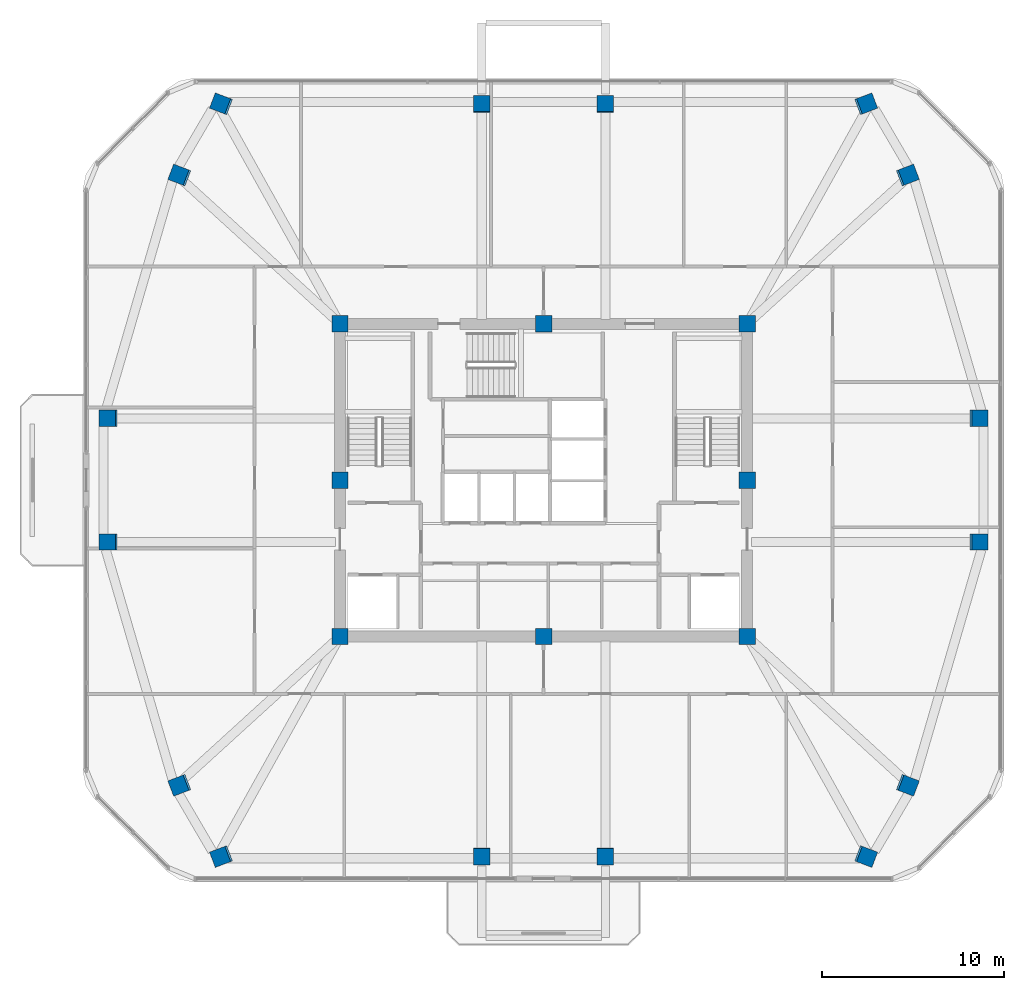
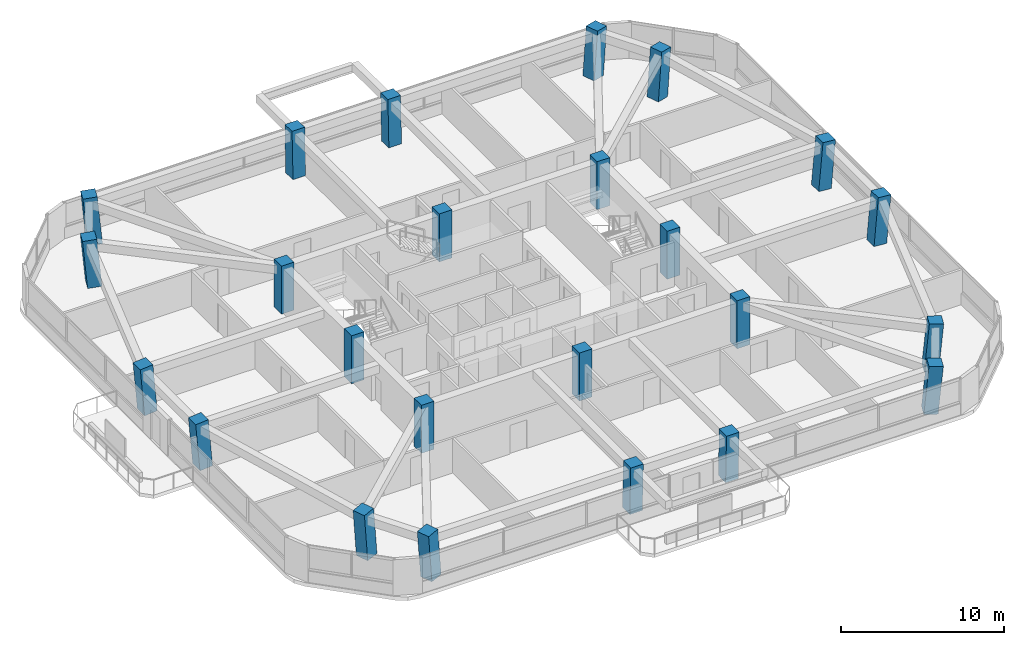
# One storey, part 1 of 13: 24 columns.
"""IFC4 building model written with IfcOpenShell, lengths in metres."""

from ifc_helpers import new_model, si_unit, derived_unit, direction, frame, origin, origin_2d, place, context, subcontext, project, spatial, rectangle, extrude, material, material_profile, profile_set, type_object, element, save


model = new_model("IFC4")

# Units and contexts
model_context = context("Model", 3, precision=1e-05, world=origin(), true_north=direction((0.0, 1.0)))
body_context = subcontext(model_context, "Body", "Model", "MODEL_VIEW")
ifc_project = project(units=[si_unit("LENGTHUNIT", "METRE"), si_unit("AREAUNIT", "SQUARE_METRE"), si_unit("VOLUMEUNIT", "CUBIC_METRE"), si_unit("PLANEANGLEUNIT", "RADIAN"), si_unit("MASSUNIT", "GRAM", prefix="KILO"), derived_unit("THERMALTRANSMITTANCEUNIT", [(si_unit("POWERUNIT", "WATT"), 1), (si_unit("LENGTHUNIT", "METRE"), -2), (si_unit("THERMODYNAMICTEMPERATUREUNIT", "KELVIN"), -1)])], contexts=[model_context])

# Site, building, storey
site_placement = place(None, origin())
site = spatial("IfcSite", under=ifc_project, at=site_placement, CompositionType="ELEMENT")
building_placement = place(site_placement, origin())
building = spatial("IfcBuilding", under=site, at=building_placement, Name="Koralith Skygarden Medical Center", CompositionType="ELEMENT")
storey_placement = place(building_placement, frame((0.0, 0.0, 199.97998046875)))
storey = spatial("IfcBuildingStorey", under=building, at=storey_placement, Name="L51", CompositionType="ELEMENT", Elevation=199.97998046875)

# Columns
ifc_material = material(Name="Concrete C55/67", Category="concrete")
ifc_material_profile_1 = material_profile(ifc_material, rectangle(XDim=0.89990234375, YDim=0.89990234375, at=origin_2d()), Name="RC900X900")
ifc_profile_set_1 = profile_set([ifc_material_profile_1], Name="Concrete C55/67")
column_type_1 = type_object("IfcColumnType", Name="Core Column C55 RC900", PredefinedType="COLUMN", material=ifc_profile_set_1)
for number, where, z_axis, x_axis, name in (
    (1, (25.800048828125, 17.300048828125, 0.0), (0.0, 0.0, 1.0), (1.0, 0.0, 0.0), "L51 Core Column CC-01"),
    (2, (37.0, 17.300048828125, 0.0), (0.0, 0.0, 1.0), (1.0, 0.0, 0.0), "L51 Core Column CC-02"),
    (3, (48.199951171875, 17.300048828125, 0.0), (0.0, 0.0, 1.0), (1.0, 0.0, 0.0), "L51 Core Column CC-03"),
    (4, (48.199951171875, 25.89990234375, 0.0), (0.0, 0.0, 1.0), (1.0, 0.0, 0.0), "L51 Core Column CC-04"),
    (5, (48.199951171875, 34.5, 0.0), (0.0, 0.0, 1.0), (1.0, 0.0, 0.0), "L51 Core Column CC-05"),
    (6, (37.0, 34.5, 0.0), (0.0, 0.0, 1.0), (1.0, 0.0, 0.0), "L51 Core Column CC-06"),
    (7, (25.800048828125, 34.5, 0.0), (0.0, 0.0, 1.0), (1.0, 0.0, 0.0), "L51 Core Column CC-07"),
    (8, (25.800048828125, 25.89990234375, 0.0), (0.0, 0.0, 1.0), (1.0, 0.0, 0.0), "L51 Core Column CC-08"),
):
    element("IfcColumn", number, at=place(storey_placement, frame(where, z_axis=z_axis, x_axis=x_axis)), inside=storey, type_object=column_type_1, Name=name, PredefinedType="COLUMN", context=body_context, shape_type="SweptSolid", body=[
        extrude(rectangle(XDim=0.89990234375, YDim=0.89990234375, at=origin_2d()), origin(), (0.0, 0.0, 1.0), 3.60009765625),
    ])
ifc_material_profile_2 = material_profile(ifc_material, rectangle(XDim=0.89990234375, YDim=0.89990234375, at=origin_2d()), Name="RC900X900")
ifc_profile_set_2 = profile_set([ifc_material_profile_2], Name="Concrete C55/67")
column_type_2 = type_object("IfcColumnType", Name="Zone 4 Flare Mega-Column C55 RC900", PredefinedType="COLUMN", material=ifc_profile_set_2)
column_1_placement = place(storey_placement, frame((13.092041015625, 22.5, 0.02099609375), z_axis=(-0.084844599786, 0.0, 0.996394196032), x_axis=(0.0, -1.0, 0.0)))
element("IfcColumn", 9, at=column_1_placement, inside=storey, type_object=column_type_2, Name="L51 Perimeter Mega-Column MC-01", PredefinedType="COLUMN", context=body_context, shape_type="SweptSolid", body=[
    extrude(rectangle(XDim=0.89990234375, YDim=0.89990234375, at=origin_2d()), origin(), (0.0, 0.0, 1.0), 3.571044921875),
])
for number, where, z_axis, x_axis, name in (
    (10, (17.011962890625, 9.134033203125, 0.02099609375), (-0.084529271383, -0.032185357172, 0.995901051844), (0.355838239402, -0.93454756293, 0.0), "L51 Perimeter Mega-Column MC-02"),
    (11, (19.303955078125, 5.214111328125, 0.02099609375), (-0.084800645292, -0.032184612355, 0.995878005222), (0.354835912634, -0.934928593586, 0.0), "L51 Perimeter Mega-Column MC-03"),
):
    element("IfcColumn", number, at=place(storey_placement, frame(where, z_axis=z_axis, x_axis=x_axis)), inside=storey, type_object=column_type_2, Name=name, PredefinedType="COLUMN", context=body_context, shape_type="SweptSolid", body=[
        extrude(rectangle(XDim=0.89990234375, YDim=0.89990234375, at=origin_2d()), origin(), (0.0, 0.0, 1.0), 3.57275390625),
    ])
for number, where, z_axis, x_axis, name in (
    (12, (33.60009765625, 5.214111328125, 0.02099609375), (0.0, -0.032300962429, 0.999478187769), (1.0, 0.0, 0.0), "L51 Perimeter Mega-Column MC-04"),
    (13, (40.39990234375, 5.214111328125, 0.02099609375), (0.0, -0.032300962429, 0.999478187769), (1.0, 0.0, 0.0), "L51 Perimeter Mega-Column MC-05"),
):
    element("IfcColumn", number, at=place(storey_placement, frame(where, z_axis=z_axis, x_axis=x_axis)), inside=storey, type_object=column_type_2, Name=name, PredefinedType="COLUMN", context=body_context, shape_type="SweptSolid", body=[
        extrude(rectangle(XDim=0.89990234375, YDim=0.89990234375, at=origin_2d()), origin(), (0.0, 0.0, 1.0), 3.56005859375),
    ])
for number, where, z_axis, x_axis, name in (
    (14, (54.696044921875, 5.214111328125, 0.02099609375), (0.084800645292, -0.032184612355, 0.995878005222), (0.354835912634, 0.934928593586, 0.0), "L51 Perimeter Mega-Column MC-06"),
    (15, (56.988037109375, 9.134033203125, 0.02099609375), (0.084529271383, -0.032185357172, 0.995901051844), (0.355838239402, 0.93454756293, 0.0), "L51 Perimeter Mega-Column MC-07"),
):
    element("IfcColumn", number, at=place(storey_placement, frame(where, z_axis=z_axis, x_axis=x_axis)), inside=storey, type_object=column_type_2, Name=name, PredefinedType="COLUMN", context=body_context, shape_type="SweptSolid", body=[
        extrude(rectangle(XDim=0.89990234375, YDim=0.89990234375, at=origin_2d()), origin(), (0.0, 0.0, 1.0), 3.57275390625),
    ])
for number, where, z_axis, x_axis, name in (
    (16, (60.907958984375, 22.5, 0.02099609375), (0.084844599786, 0.0, 0.996394196032), (0.0, 1.0, 0.0), "L51 Perimeter Mega-Column MC-08"),
    (17, (60.907958984375, 29.300048828125, 0.02099609375), (0.084844599786, 0.0, 0.996394196032), (0.0, 1.0, 0.0), "L51 Perimeter Mega-Column MC-09"),
):
    element("IfcColumn", number, at=place(storey_placement, frame(where, z_axis=z_axis, x_axis=x_axis)), inside=storey, type_object=column_type_2, Name=name, PredefinedType="COLUMN", context=body_context, shape_type="SweptSolid", body=[
        extrude(rectangle(XDim=0.89990234375, YDim=0.89990234375, at=origin_2d()), origin(), (0.0, 0.0, 1.0), 3.571044921875),
    ])
for number, where, z_axis, x_axis, name in (
    (18, (56.988037109375, 42.666015625, 0.02099609375), (0.084529271383, 0.032185357172, 0.995901051844), (-0.355838239402, 0.93454756293, 0.0), "L51 Perimeter Mega-Column MC-10"),
    (19, (54.696044921875, 46.5859375, 0.02099609375), (0.084800645292, 0.032184612355, 0.995878005222), (-0.354835912634, 0.934928593586, 0.0), "L51 Perimeter Mega-Column MC-11"),
):
    element("IfcColumn", number, at=place(storey_placement, frame(where, z_axis=z_axis, x_axis=x_axis)), inside=storey, type_object=column_type_2, Name=name, PredefinedType="COLUMN", context=body_context, shape_type="SweptSolid", body=[
        extrude(rectangle(XDim=0.89990234375, YDim=0.89990234375, at=origin_2d()), origin(), (0.0, 0.0, 1.0), 3.57275390625),
    ])
for number, where, z_axis, x_axis, name in (
    (20, (40.39990234375, 46.5859375, 0.02099609375), (0.0, 0.032300962429, 0.999478187769), (-1.0, 0.0, 0.0), "L51 Perimeter Mega-Column MC-12"),
    (21, (33.60009765625, 46.5859375, 0.02099609375), (0.0, 0.032300962429, 0.999478187769), (-1.0, 0.0, 0.0), "L51 Perimeter Mega-Column MC-13"),
):
    element("IfcColumn", number, at=place(storey_placement, frame(where, z_axis=z_axis, x_axis=x_axis)), inside=storey, type_object=column_type_2, Name=name, PredefinedType="COLUMN", context=body_context, shape_type="SweptSolid", body=[
        extrude(rectangle(XDim=0.89990234375, YDim=0.89990234375, at=origin_2d()), origin(), (0.0, 0.0, 1.0), 3.56005859375),
    ])
for number, where, z_axis, x_axis, name in (
    (22, (19.303955078125, 46.5859375, 0.02099609375), (-0.084800645292, 0.032184612355, 0.995878005222), (-0.354835912634, -0.934928593586, 0.0), "L51 Perimeter Mega-Column MC-14"),
    (23, (17.011962890625, 42.666015625, 0.02099609375), (-0.084529271383, 0.032185357172, 0.995901051844), (-0.355838239402, -0.93454756293, 0.0), "L51 Perimeter Mega-Column MC-15"),
):
    element("IfcColumn", number, at=place(storey_placement, frame(where, z_axis=z_axis, x_axis=x_axis)), inside=storey, type_object=column_type_2, Name=name, PredefinedType="COLUMN", context=body_context, shape_type="SweptSolid", body=[
        extrude(rectangle(XDim=0.89990234375, YDim=0.89990234375, at=origin_2d()), origin(), (0.0, 0.0, 1.0), 3.57275390625),
    ])
column_2_placement = place(storey_placement, frame((13.092041015625, 29.300048828125, 0.02099609375), z_axis=(-0.084844599786, 0.0, 0.996394196032), x_axis=(0.0, -1.0, 0.0)))
element("IfcColumn", 24, at=column_2_placement, inside=storey, type_object=column_type_2, Name="L51 Perimeter Mega-Column MC-16", PredefinedType="COLUMN", context=body_context, shape_type="SweptSolid", body=[
    extrude(rectangle(XDim=0.89990234375, YDim=0.89990234375, at=origin_2d()), origin(), (0.0, 0.0, 1.0), 3.571044921875),
])

save(model, "model.ifc")
